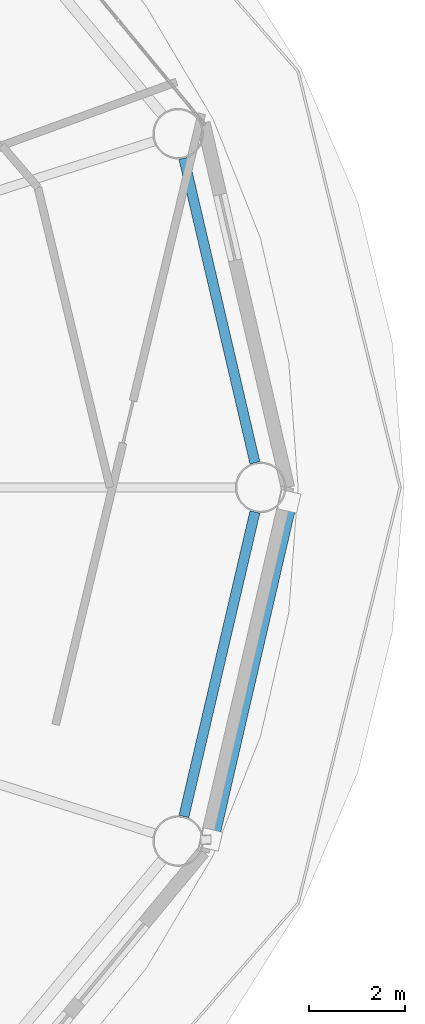
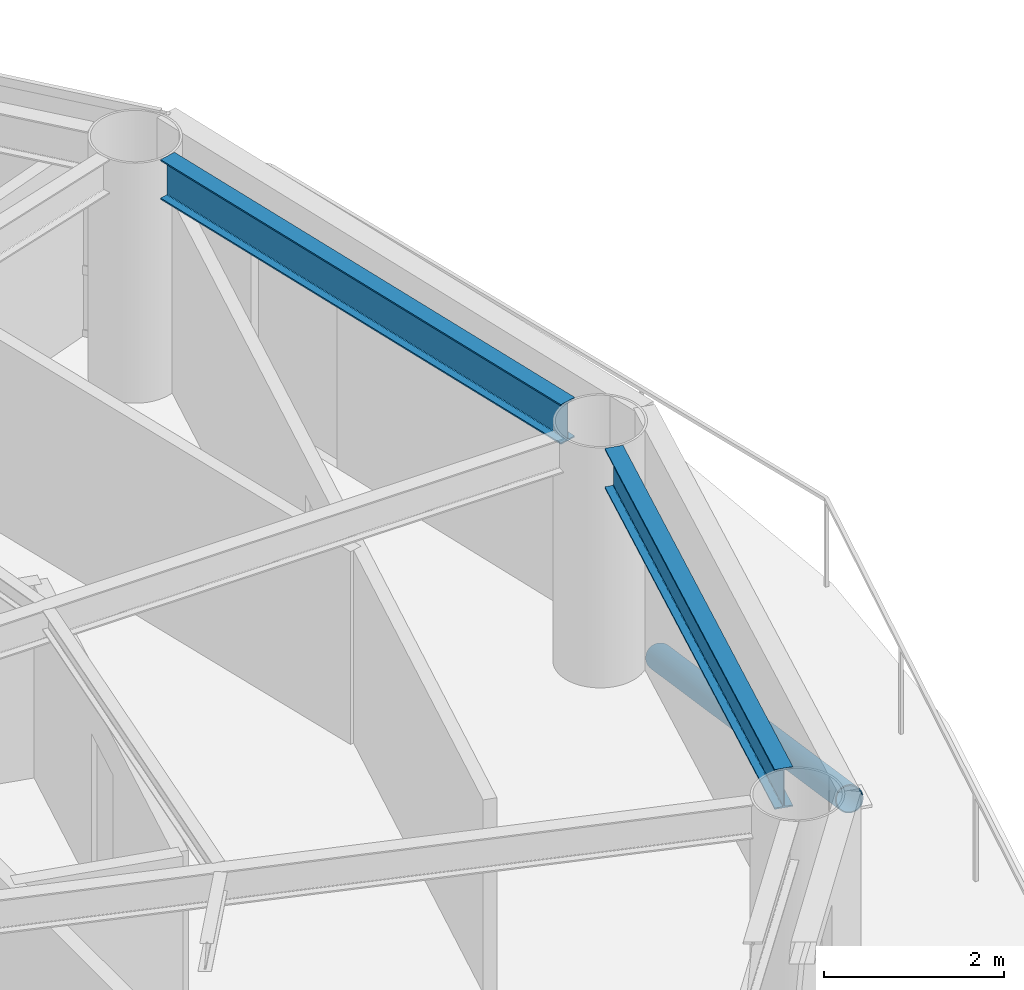
# One storey, part 10 of 24: 2 beams, 1 member.
"""IFC4 building model written with IfcOpenShell, lengths in metres."""

from ifc_helpers import new_model, si_unit, direction, frame, origin, origin_2d, place, context, subcontext, project, spatial, hollow_circle, i_section, extrude, material, material_profile, profile_set, type_object, element, save


model = new_model("IFC4")

# Units and contexts
model_context = context("Model", 3, precision=1e-05, world=origin(), true_north=direction((0.0, 1.0)))
body_context = subcontext(model_context, "Body", "Model", "MODEL_VIEW")
ifc_project = project(units=[si_unit("LENGTHUNIT", "METRE"), si_unit("AREAUNIT", "SQUARE_METRE"), si_unit("VOLUMEUNIT", "CUBIC_METRE"), si_unit("PLANEANGLEUNIT", "RADIAN"), si_unit("MASSUNIT", "GRAM", prefix="KILO")], contexts=[model_context])

# Site, building, storey
site_placement = place(None, origin())
site = spatial("IfcSite", under=ifc_project, at=site_placement, CompositionType="ELEMENT")
building_placement = place(site_placement, origin())
building = spatial("IfcBuilding", under=site, at=building_placement, Name="Sarneth Arch Tower", CompositionType="ELEMENT")
storey_placement = place(building_placement, frame((0.0, 0.0, 253.199951171875)))
storey = spatial("IfcBuildingStorey", under=building, at=storey_placement, Name="L65", CompositionType="ELEMENT", Elevation=253.199951171875)

# Beams
ifc_material_1 = material(Name="Steel S355", Category="steel")
ifc_material_profile_1 = material_profile(ifc_material_1, i_section(OverallWidth=0.2109375, OverallDepth=0.5390625, WebThickness=0.01171875, FlangeThickness=0.018798828125, FilletRadius=0.01806640625, at=origin_2d()), Name="W530x109")
ifc_profile_set_1 = profile_set([ifc_material_profile_1], Name="Steel S355")
beam_type = type_object("IfcBeamType", Name="BM-RAD-530B", PredefinedType="BEAM", material=ifc_profile_set_1)
for number, where, z_axis, x_axis, name in (
    (1, (72.763916015625, 42.51123046875, 2.98046875), (-0.227230803906, 0.973840932471, 0.0), (-0.973840932471, -0.227230803906, 0.0), "L65 Perimeter spandrel beam 01"),
    (2, (71.2880859375, 35.163818359375, 2.98046875), (0.227230803906, 0.973840932471, 0.0), (-0.973840932471, 0.227230803906, 0.0), "L65 Perimeter spandrel beam 16"),
):
    element("IfcBeam", number, at=place(storey_placement, frame(where, z_axis=z_axis, x_axis=x_axis)), inside=storey, type_object=beam_type, Name=name, PredefinedType="BEAM", context=body_context, shape_type="SweptSolid", body=[
        extrude(i_section(OverallWidth=0.2109375, OverallDepth=0.5390625, WebThickness=0.01171875, FlangeThickness=0.018798828125, FilletRadius=0.01806640625, at=origin_2d()), origin(), (0.0, 0.0, 1.0), 6.494873046875),
    ])

# Member
ifc_material_2 = material(Name="Steel S355", Category="steel")
ifc_material_profile_2 = material_profile(ifc_material_2, hollow_circle(Radius=0.162109375, WallThickness=0.012451171875, at=origin_2d()), Name="CHS324x12.5")
ifc_profile_set_2 = profile_set([ifc_material_profile_2], Name="Steel S355")
member_type = type_object("IfcMemberType", Name="MEM-DIAG-BR3", PredefinedType="BRACE", material=ifc_profile_set_2)
member_placement = place(storey_placement, frame((73.4765625, 41.707763671875, 0.02001953125), z_axis=(-0.209034795061, -0.903576851917, 0.373969687452), x_axis=(0.974268900284, -0.225388797281, 0.0)))
element("IfcMember", 3, at=member_placement, inside=storey, type_object=member_type, Name="L65 Perimeter frame diagonal 16", PredefinedType="BRACE", context=body_context, shape_type="SweptSolid", body=[
    extrude(hollow_circle(Radius=0.162109375, WallThickness=0.012451171875, at=origin_2d()), origin(), (0.0, 0.0, 1.0), 7.772705078125),
])

save(model, "model.ifc")
